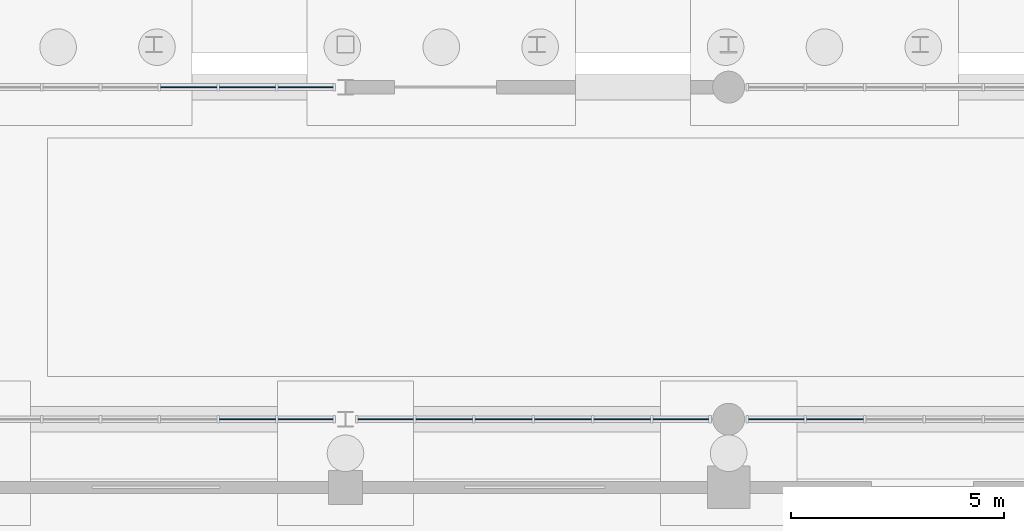
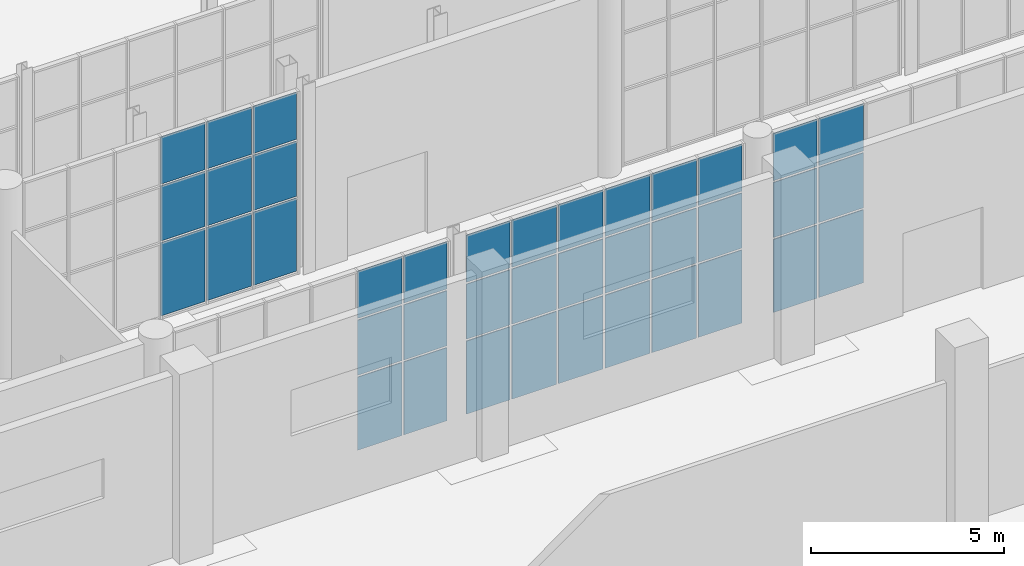
# One storey, part 77 of 131: 39 plates, 4 elements without a shape of their own.
"""IFC4 building model written with IfcOpenShell, lengths in metres."""

import ifcopenshell
import ifcopenshell.guid

model = None  # the IFC model being written
_history = None  # IfcOwnerHistory: only IFC2X3 demands one
_inside = {}  # id of a spatial element -> (the spatial element, [elements in it])
_under = {}  # id of a project, library or spatial element -> (it, [spatial elements below it])
_declared = {}  # id of a project -> (the project, [libraries it declares])
_typed = {}  # id of a type object -> (the type object, [elements of that type])
_made_of = {}  # id of a material, layer set ... -> (it, [elements and type objects made of it])


def new_model(schema):
    """Start an empty IFC model of exactly this schema.

    Asked for "IFC4X3", IfcOpenShell would pick the latest addendum, in which some entities
    have other attributes; the version numbers below select the first issue.
    IFC2X3 requires an IfcOwnerHistory on every rooted entity: one is made here for all.
    """
    global model, _history
    if schema == "IFC4X3":
        model = ifcopenshell.file(schema_version=(4, 3, 0, 0))
    else:
        model = ifcopenshell.file(schema=schema)
    _inside.clear()
    _under.clear()
    _declared.clear()
    _typed.clear()
    _made_of.clear()
    _history = None
    if model.schema == "IFC2X3":
        org = make("IfcOrganization", Name="unknown")
        user = make(
            "IfcPersonAndOrganization",
            ThePerson=make("IfcPerson", FamilyName="unknown"),
            TheOrganization=org,
        )
        app = make(
            "IfcApplication",
            ApplicationDeveloper=org,
            Version="unknown",
            ApplicationFullName="unknown",
            ApplicationIdentifier="unknown",
        )
        _history = make(
            "IfcOwnerHistory",
            OwningUser=user,
            OwningApplication=app,
            ChangeAction="ADDED",
            CreationDate=0,
        )
    return model


def make(cls, **values):
    """One entity of the class cls with the attributes given. An attribute that is None is left unset."""
    return model.create_entity(
        cls, **{name: value for name, value in values.items() if value is not None}
    )


def rooted(cls, **values):
    """An entity with a GlobalId (a new one), such as an element, a storey or a relation."""
    return make(cls, GlobalId=ifcopenshell.guid.new(), OwnerHistory=_history, **values)


def si_unit(unit_type, name, prefix=None):
    """IfcSIUnit, for example si_unit("LENGTHUNIT", "METRE", prefix="MILLI")."""
    return make("IfcSIUnit", UnitType=unit_type, Prefix=prefix, Name=name)


def assignment(units):
    """IfcUnitAssignment: the units of a project."""
    return None if units is None else make("IfcUnitAssignment", Units=units)


def point(xyz):
    """IfcCartesianPoint."""
    return None if xyz is None else make("IfcCartesianPoint", Coordinates=xyz)


def direction(xyz):
    """IfcDirection."""
    return None if xyz is None else make("IfcDirection", DirectionRatios=xyz)


def frame(location, z_axis=None, x_axis=None):
    """IfcAxis2Placement3D, a coordinate frame: its origin and axes. An axis left out is left unset."""
    return make(
        "IfcAxis2Placement3D",
        Location=point(location),
        Axis=direction(z_axis),
        RefDirection=direction(x_axis),
    )


def frame_2d(location, x_axis=None):
    """IfcAxis2Placement2D, a coordinate frame in the plane: its origin and x axis."""
    return make(
        "IfcAxis2Placement2D", Location=point(location), RefDirection=direction(x_axis)
    )


def origin():
    """The frame at (0, 0, 0) with its axes left unset."""
    return frame((0.0, 0.0, 0.0))


def origin_2d():
    """The frame at (0, 0) in the plane with its x axis left unset."""
    return frame_2d((0.0, 0.0))


def place(relative_to, where):
    """IfcLocalPlacement: puts the frame where relative to a parent placement (None: the world)."""
    return make(
        "IfcLocalPlacement", PlacementRelTo=relative_to, RelativePlacement=where
    )


def context(
    kind, dimensions, precision=None, world=None, true_north=None, identifier=None
):
    """IfcGeometricRepresentationContext, for example the 3D "Model" context."""
    return make(
        "IfcGeometricRepresentationContext",
        ContextIdentifier=identifier,
        ContextType=kind,
        CoordinateSpaceDimension=dimensions,
        Precision=precision,
        WorldCoordinateSystem=world,
        TrueNorth=true_north,
    )


def subcontext(parent, identifier, kind, view, scale=None):
    """IfcGeometricRepresentationSubContext, for example "Body" below "Model"."""
    return make(
        "IfcGeometricRepresentationSubContext",
        ContextIdentifier=identifier,
        ContextType=kind,
        ParentContext=parent,
        TargetScale=scale,
        TargetView=view,
    )


def project(units=None, contexts=None):
    """IfcProject with its units and contexts."""
    return rooted(
        "IfcProject",
        Name="project",
        RepresentationContexts=contexts,
        UnitsInContext=assignment(units),
    )


def spatial(cls, under=None, at=None, **own):
    """A site, building, storey or space (cls), placed at a placement, below another one or the project."""
    s = rooted(cls, ObjectPlacement=at, **own)
    if under is not None:
        _under.setdefault(under.id(), (under, []))[1].append(s)
    return s


def profile(cls, at=None, kind="AREA", **sizes):
    """A parametric profile (cls). Its sizes go by their IFC names, for example OverallWidth=200.0."""
    return make(cls, ProfileType=kind, Position=at, **sizes)


def rectangle(**sizes):
    """IfcRectangleProfileDef."""
    return profile("IfcRectangleProfileDef", **sizes)


def extrude(swept, where, along, depth):
    """IfcExtrudedAreaSolid: the profile swept, set in the frame where, extruded along a direction by depth."""
    return make(
        "IfcExtrudedAreaSolid",
        SweptArea=swept,
        Position=where,
        ExtrudedDirection=direction(along),
        Depth=depth,
    )


def shape(context_of_items, identifier, shape_type, items):
    """IfcShapeRepresentation: the items that make up one representation, for example the "Body"."""
    return make(
        "IfcShapeRepresentation",
        ContextOfItems=context_of_items,
        RepresentationIdentifier=identifier,
        RepresentationType=shape_type,
        Items=items,
    )


def material(Name=None, Category=None):
    """IfcMaterial."""
    return make("IfcMaterial", Name=Name, Category=Category)


def layer(
    of_material, thickness, ventilated=None, Name=None, Category=None, Priority=None
):
    """IfcMaterialLayer: one layer of a wall or slab, of a material (None: an air gap)."""
    return make(
        "IfcMaterialLayer",
        Material=of_material,
        LayerThickness=thickness,
        IsVentilated=ventilated,
        Name=Name,
        Category=Category,
        Priority=Priority,
    )


def layer_set(layers, Name=None):
    """IfcMaterialLayerSet."""
    return make("IfcMaterialLayerSet", MaterialLayers=layers, LayerSetName=Name)


def made_of(thing, what):
    """Note that an element or type object is made of a material, layer set ...; save() writes the relation."""
    if what is not None:
        _made_of.setdefault(what.id(), (what, []))[1].append(thing)
    return thing


def type_object(cls, material=None, **own):
    """A type object (cls), such as IfcWallType, which elements share."""
    return made_of(rooted(cls, **own), material)


def element(
    cls,
    number,
    at=None,
    inside=None,
    cuts=None,
    type_object=None,
    material=None,
    context=None,
    identifier="Body",
    shape_type=None,
    held_by="IfcProductDefinitionShape",
    body=None,
    shapes=None,
    **own,
):
    """One element of the class cls, such as IfcWall. Its Tag is "e" and its number.

    at: its placement. inside: the storey or other place that contains it. cuts: it is an
    opening in that element (IfcRelVoidsElement). A single representation is given by context,
    identifier, shape_type and body (its items); several are given by shapes. held_by: the class
    of the entity that holds the representations. save() writes the other relations.
    """
    e = rooted(cls, Tag="e%d" % number, ObjectPlacement=at, **own)
    if body is not None:
        shapes = [shape(context, identifier, shape_type, body)]
    if shapes is not None:
        e.Representation = make(held_by, Representations=shapes)
    if inside is not None:
        _inside.setdefault(inside.id(), (inside, []))[1].append(e)
    if cuts is not None:
        rooted(
            "IfcRelVoidsElement", RelatingBuildingElement=cuts, RelatedOpeningElement=e
        )
    if type_object is not None:
        _typed.setdefault(type_object.id(), (type_object, []))[1].append(e)
    return made_of(e, material)


def aggregate(whole, parts):
    """IfcRelAggregates: a whole, such as a stair, and the parts it consists of."""
    return rooted("IfcRelAggregates", RelatingObject=whole, RelatedObjects=parts)


def save(model, path):
    """Write the relations noted so far, then the file.

    IfcRelAggregates (storeys below a building ...), IfcRelContainedInSpatialStructure (elements
    in a storey), IfcRelDefinesByType, IfcRelAssociatesMaterial and IfcRelDeclares: one each for
    every whole, place, type object, material and project.
    """
    for whole, parts in _under.values():
        aggregate(whole, parts)
    for where, things in _inside.values():
        rooted(
            "IfcRelContainedInSpatialStructure",
            RelatedElements=things,
            RelatingStructure=where,
        )
    for kind, things in _typed.values():
        rooted("IfcRelDefinesByType", RelatedObjects=things, RelatingType=kind)
    for what, things in _made_of.values():
        rooted("IfcRelAssociatesMaterial", RelatedObjects=things, RelatingMaterial=what)
    for by, libraries in _declared.values():
        rooted("IfcRelDeclares", RelatingContext=by, RelatedDefinitions=libraries)
    model.write(path)


model = new_model("IFC4")

# Units and contexts
model_context = context("Model", 3, precision=1e-05, world=origin(), true_north=direction((0.0, 1.0)))
body_context = subcontext(model_context, "Body", "Model", "MODEL_VIEW")
ifc_project = project(units=[si_unit("LENGTHUNIT", "METRE"), si_unit("AREAUNIT", "SQUARE_METRE"), si_unit("VOLUMEUNIT", "CUBIC_METRE"), si_unit("PLANEANGLEUNIT", "RADIAN"), si_unit("MASSUNIT", "GRAM", prefix="KILO")], contexts=[model_context])

# Site, building, storey
site_placement = place(None, origin())
site = spatial("IfcSite", under=ifc_project, at=site_placement, CompositionType="ELEMENT")
building_placement = place(site_placement, origin())
building = spatial("IfcBuilding", under=site, at=building_placement, Name="Cazmaro Siding Exhibition Halls", CompositionType="ELEMENT")
storey_placement = place(building_placement, origin())
storey = spatial("IfcBuildingStorey", under=building, at=storey_placement, Name="L00", CompositionType="ELEMENT", Elevation=0.0)

# Curtain wall, plates
ifc_material_1 = material(Name="Anodized Bronze Aluminum and Solar-Control Low-E Glazing", Category="aluminium")
ifc_layer_1 = layer(ifc_material_1, 0.179931640625)
ifc_layer_set_1 = layer_set([ifc_layer_1], Name="Anodized Bronze Aluminum and Solar-Control Low-E Glazing")
curtain_wall_type = type_object("IfcCurtainWallType", Name="CWS-01", PredefinedType="USERDEFINED", material=ifc_layer_set_1)
curtain_wall_1_placement = place(storey_placement, origin())
curtain_wall_1 = element("IfcCurtainWall", 1, at=curtain_wall_1_placement, inside=storey, type_object=curtain_wall_type, Name="Glazed Curtain Wall CWS-01 CW-170", ObjectType="GLAZED CURTAIN WALL", PredefinedType="USERDEFINED")
ifc_material_2 = material(Name="Solar-Control Low-E Double Insulating Glass", Category="glass")
ifc_layer_2 = layer(ifc_material_2, 0.02392578125)
ifc_layer_set_2 = layer_set([ifc_layer_2], Name="Solar-Control Low-E Double Insulating Glass")
plate_type = type_object("IfcPlateType", Name="CWP-01", PredefinedType="CURTAIN_PANEL", material=ifc_layer_set_2)
plate_1_placement = place(storey_placement, frame((96.6982421875, 55.199951171875, 0.06005859375), z_axis=(0.0, 0.0, 1.0), x_axis=(1.0, 0.0, 0.0)))
plate_1 = element("IfcPlate", 2, at=plate_1_placement, type_object=plate_type, Name="CWS-01 panel 5.1", PredefinedType="CURTAIN_PANEL", context=body_context, shape_type="SweptSolid", body=[
    extrude(rectangle(XDim=1.321044921875, YDim=0.02392578125, at=origin_2d()), origin(), (0.0, 0.0, 1.0), 2.31005859375),
])
plate_2_placement = place(storey_placement, frame((96.6982421875, 55.199951171875, 2.43017578125), z_axis=(0.0, 0.0, 1.0), x_axis=(1.0, 0.0, 0.0)))
plate_2 = element("IfcPlate", 3, at=plate_2_placement, type_object=plate_type, Name="CWS-01 panel 5.2", PredefinedType="CURTAIN_PANEL", context=body_context, shape_type="SweptSolid", body=[
    extrude(rectangle(XDim=1.321044921875, YDim=0.02392578125, at=origin_2d()), origin(), (0.0, 0.0, 1.0), 1.739990234375),
])
plate_3_placement = place(storey_placement, frame((96.6982421875, 55.199951171875, 4.22998046875), z_axis=(0.0, 0.0, 1.0), x_axis=(1.0, 0.0, 0.0)))
plate_3 = element("IfcPlate", 4, at=plate_3_placement, type_object=plate_type, Name="CWS-01 panel 5.3", PredefinedType="CURTAIN_PANEL", context=body_context, shape_type="SweptSolid", body=[
    extrude(rectangle(XDim=1.321044921875, YDim=0.02392578125, at=origin_2d()), origin(), (0.0, 0.0, 1.0), 1.489990234375),
])
plate_4_placement = place(storey_placement, frame((98.064453125, 55.199951171875, 0.06005859375), z_axis=(0.0, 0.0, 1.0), x_axis=(1.0, 0.0, 0.0)))
plate_4 = element("IfcPlate", 5, at=plate_4_placement, type_object=plate_type, Name="CWS-01 panel 6.1", PredefinedType="CURTAIN_PANEL", context=body_context, shape_type="SweptSolid", body=[
    extrude(rectangle(XDim=1.291259765625, YDim=0.02392578125, at=origin_2d()), origin(), (0.0, 0.0, 1.0), 2.31005859375),
])
plate_5_placement = place(storey_placement, frame((98.064453125, 55.199951171875, 2.43017578125), z_axis=(0.0, 0.0, 1.0), x_axis=(1.0, 0.0, 0.0)))
plate_5 = element("IfcPlate", 6, at=plate_5_placement, type_object=plate_type, Name="CWS-01 panel 6.2", PredefinedType="CURTAIN_PANEL", context=body_context, shape_type="SweptSolid", body=[
    extrude(rectangle(XDim=1.291259765625, YDim=0.02392578125, at=origin_2d()), origin(), (0.0, 0.0, 1.0), 1.739990234375),
])
plate_6_placement = place(storey_placement, frame((98.064453125, 55.199951171875, 4.22998046875), z_axis=(0.0, 0.0, 1.0), x_axis=(1.0, 0.0, 0.0)))
plate_6 = element("IfcPlate", 7, at=plate_6_placement, type_object=plate_type, Name="CWS-01 panel 6.3", PredefinedType="CURTAIN_PANEL", context=body_context, shape_type="SweptSolid", body=[
    extrude(rectangle(XDim=1.291259765625, YDim=0.02392578125, at=origin_2d()), origin(), (0.0, 0.0, 1.0), 1.489990234375),
])
aggregate(curtain_wall_1, [plate_1, plate_2, plate_3, plate_4, plate_5, plate_6])

curtain_wall_2_placement = place(storey_placement, origin())
curtain_wall_2 = element("IfcCurtainWall", 8, at=curtain_wall_2_placement, inside=storey, type_object=curtain_wall_type, Name="Glazed Curtain Wall CWS-01 CW-171", ObjectType="GLAZED CURTAIN WALL", PredefinedType="USERDEFINED")
plate_7_placement = place(storey_placement, frame((98.064453125, 63.0, 0.06005859375), z_axis=(0.0, 0.0, 1.0), x_axis=(-1.0, 0.0, 0.0)))
plate_7 = element("IfcPlate", 9, at=plate_7_placement, type_object=plate_type, Name="CWS-01 panel 1.1", PredefinedType="CURTAIN_PANEL", context=body_context, shape_type="SweptSolid", body=[
    extrude(rectangle(XDim=1.291259765625, YDim=0.02392578125, at=origin_2d()), origin(), (0.0, 0.0, 1.0), 2.31005859375),
])
plate_8_placement = place(storey_placement, frame((98.064453125, 63.0, 2.43017578125), z_axis=(0.0, 0.0, 1.0), x_axis=(-1.0, 0.0, 0.0)))
plate_8 = element("IfcPlate", 10, at=plate_8_placement, type_object=plate_type, Name="CWS-01 panel 1.2", PredefinedType="CURTAIN_PANEL", context=body_context, shape_type="SweptSolid", body=[
    extrude(rectangle(XDim=1.291259765625, YDim=0.02392578125, at=origin_2d()), origin(), (0.0, 0.0, 1.0), 1.739990234375),
])
plate_9_placement = place(storey_placement, frame((98.064453125, 63.0, 4.22998046875), z_axis=(0.0, 0.0, 1.0), x_axis=(-1.0, 0.0, 0.0)))
plate_9 = element("IfcPlate", 11, at=plate_9_placement, type_object=plate_type, Name="CWS-01 panel 1.3", PredefinedType="CURTAIN_PANEL", context=body_context, shape_type="SweptSolid", body=[
    extrude(rectangle(XDim=1.291259765625, YDim=0.02392578125, at=origin_2d()), origin(), (0.0, 0.0, 1.0), 1.489990234375),
])
plate_10_placement = place(storey_placement, frame((96.6982421875, 63.0, 0.06005859375), z_axis=(0.0, 0.0, 1.0), x_axis=(-1.0, 0.0, 0.0)))
plate_10 = element("IfcPlate", 12, at=plate_10_placement, type_object=plate_type, Name="CWS-01 panel 2.1", PredefinedType="CURTAIN_PANEL", context=body_context, shape_type="SweptSolid", body=[
    extrude(rectangle(XDim=1.321044921875, YDim=0.02392578125, at=origin_2d()), origin(), (0.0, 0.0, 1.0), 2.31005859375),
])
plate_11_placement = place(storey_placement, frame((96.6982421875, 63.0, 2.43017578125), z_axis=(0.0, 0.0, 1.0), x_axis=(-1.0, 0.0, 0.0)))
plate_11 = element("IfcPlate", 13, at=plate_11_placement, type_object=plate_type, Name="CWS-01 panel 2.2", PredefinedType="CURTAIN_PANEL", context=body_context, shape_type="SweptSolid", body=[
    extrude(rectangle(XDim=1.321044921875, YDim=0.02392578125, at=origin_2d()), origin(), (0.0, 0.0, 1.0), 1.739990234375),
])
plate_12_placement = place(storey_placement, frame((96.6982421875, 63.0, 4.22998046875), z_axis=(0.0, 0.0, 1.0), x_axis=(-1.0, 0.0, 0.0)))
plate_12 = element("IfcPlate", 14, at=plate_12_placement, type_object=plate_type, Name="CWS-01 panel 2.3", PredefinedType="CURTAIN_PANEL", context=body_context, shape_type="SweptSolid", body=[
    extrude(rectangle(XDim=1.321044921875, YDim=0.02392578125, at=origin_2d()), origin(), (0.0, 0.0, 1.0), 1.489990234375),
])
plate_13_placement = place(storey_placement, frame((95.317138671875, 63.0, 0.06005859375), z_axis=(0.0, 0.0, 1.0), x_axis=(-1.0, 0.0, 0.0)))
plate_13 = element("IfcPlate", 15, at=plate_13_placement, type_object=plate_type, Name="CWS-01 panel 3.1", PredefinedType="CURTAIN_PANEL", context=body_context, shape_type="SweptSolid", body=[
    extrude(rectangle(XDim=1.321044921875, YDim=0.02392578125, at=origin_2d()), origin(), (0.0, 0.0, 1.0), 2.31005859375),
])
plate_14_placement = place(storey_placement, frame((95.317138671875, 63.0, 2.43017578125), z_axis=(0.0, 0.0, 1.0), x_axis=(-1.0, 0.0, 0.0)))
plate_14 = element("IfcPlate", 16, at=plate_14_placement, type_object=plate_type, Name="CWS-01 panel 3.2", PredefinedType="CURTAIN_PANEL", context=body_context, shape_type="SweptSolid", body=[
    extrude(rectangle(XDim=1.321044921875, YDim=0.02392578125, at=origin_2d()), origin(), (0.0, 0.0, 1.0), 1.739990234375),
])
plate_15_placement = place(storey_placement, frame((95.317138671875, 63.0, 4.22998046875), z_axis=(0.0, 0.0, 1.0), x_axis=(-1.0, 0.0, 0.0)))
plate_15 = element("IfcPlate", 17, at=plate_15_placement, type_object=plate_type, Name="CWS-01 panel 3.3", PredefinedType="CURTAIN_PANEL", context=body_context, shape_type="SweptSolid", body=[
    extrude(rectangle(XDim=1.321044921875, YDim=0.02392578125, at=origin_2d()), origin(), (0.0, 0.0, 1.0), 1.489990234375),
])
aggregate(curtain_wall_2, [plate_7, plate_8, plate_9, plate_10, plate_11, plate_12, plate_13, plate_14, plate_15])

curtain_wall_3_placement = place(storey_placement, origin())
curtain_wall_3 = element("IfcCurtainWall", 18, at=curtain_wall_3_placement, inside=storey, type_object=curtain_wall_type, Name="Glazed Curtain Wall CWS-01 CW-176", ObjectType="GLAZED CURTAIN WALL", PredefinedType="USERDEFINED")
plate_16_placement = place(storey_placement, frame((99.94189453125, 55.199951171875, 0.06005859375), z_axis=(0.0, 0.0, 1.0), x_axis=(1.0, 0.0, 0.0)))
plate_16 = element("IfcPlate", 19, at=plate_16_placement, type_object=plate_type, Name="CWS-01 panel 1.1", PredefinedType="CURTAIN_PANEL", context=body_context, shape_type="SweptSolid", body=[
    extrude(rectangle(XDim=1.3037109375, YDim=0.02392578125, at=origin_2d()), origin(), (0.0, 0.0, 1.0), 2.31005859375),
])
plate_17_placement = place(storey_placement, frame((99.94189453125, 55.199951171875, 2.43017578125), z_axis=(0.0, 0.0, 1.0), x_axis=(1.0, 0.0, 0.0)))
plate_17 = element("IfcPlate", 20, at=plate_17_placement, type_object=plate_type, Name="CWS-01 panel 1.2", PredefinedType="CURTAIN_PANEL", context=body_context, shape_type="SweptSolid", body=[
    extrude(rectangle(XDim=1.3037109375, YDim=0.02392578125, at=origin_2d()), origin(), (0.0, 0.0, 1.0), 1.739990234375),
])
plate_18_placement = place(storey_placement, frame((99.94189453125, 55.199951171875, 4.22998046875), z_axis=(0.0, 0.0, 1.0), x_axis=(1.0, 0.0, 0.0)))
plate_18 = element("IfcPlate", 21, at=plate_18_placement, type_object=plate_type, Name="CWS-01 panel 1.3", PredefinedType="CURTAIN_PANEL", context=body_context, shape_type="SweptSolid", body=[
    extrude(rectangle(XDim=1.3037109375, YDim=0.02392578125, at=origin_2d()), origin(), (0.0, 0.0, 1.0), 1.489990234375),
])
plate_19_placement = place(storey_placement, frame((101.320556640625, 55.199951171875, 0.06005859375), z_axis=(0.0, 0.0, 1.0), x_axis=(1.0, 0.0, 0.0)))
plate_19 = element("IfcPlate", 22, at=plate_19_placement, type_object=plate_type, Name="CWS-01 panel 2.1", PredefinedType="CURTAIN_PANEL", context=body_context, shape_type="SweptSolid", body=[
    extrude(rectangle(XDim=1.333740234375, YDim=0.02392578125, at=origin_2d()), origin(), (0.0, 0.0, 1.0), 2.31005859375),
])
plate_20_placement = place(storey_placement, frame((101.320556640625, 55.199951171875, 2.43017578125), z_axis=(0.0, 0.0, 1.0), x_axis=(1.0, 0.0, 0.0)))
plate_20 = element("IfcPlate", 23, at=plate_20_placement, type_object=plate_type, Name="CWS-01 panel 2.2", PredefinedType="CURTAIN_PANEL", context=body_context, shape_type="SweptSolid", body=[
    extrude(rectangle(XDim=1.333740234375, YDim=0.02392578125, at=origin_2d()), origin(), (0.0, 0.0, 1.0), 1.739990234375),
])
plate_21_placement = place(storey_placement, frame((101.320556640625, 55.199951171875, 4.22998046875), z_axis=(0.0, 0.0, 1.0), x_axis=(1.0, 0.0, 0.0)))
plate_21 = element("IfcPlate", 24, at=plate_21_placement, type_object=plate_type, Name="CWS-01 panel 2.3", PredefinedType="CURTAIN_PANEL", context=body_context, shape_type="SweptSolid", body=[
    extrude(rectangle(XDim=1.333740234375, YDim=0.02392578125, at=origin_2d()), origin(), (0.0, 0.0, 1.0), 1.489990234375),
])
plate_22_placement = place(storey_placement, frame((102.714111328125, 55.199951171875, 0.06005859375), z_axis=(0.0, 0.0, 1.0), x_axis=(1.0, 0.0, 0.0)))
plate_22 = element("IfcPlate", 25, at=plate_22_placement, type_object=plate_type, Name="CWS-01 panel 3.1", PredefinedType="CURTAIN_PANEL", context=body_context, shape_type="SweptSolid", body=[
    extrude(rectangle(XDim=1.333740234375, YDim=0.02392578125, at=origin_2d()), origin(), (0.0, 0.0, 1.0), 2.31005859375),
])
plate_23_placement = place(storey_placement, frame((102.714111328125, 55.199951171875, 2.43017578125), z_axis=(0.0, 0.0, 1.0), x_axis=(1.0, 0.0, 0.0)))
plate_23 = element("IfcPlate", 26, at=plate_23_placement, type_object=plate_type, Name="CWS-01 panel 3.2", PredefinedType="CURTAIN_PANEL", context=body_context, shape_type="SweptSolid", body=[
    extrude(rectangle(XDim=1.333740234375, YDim=0.02392578125, at=origin_2d()), origin(), (0.0, 0.0, 1.0), 1.739990234375),
])
plate_24_placement = place(storey_placement, frame((102.714111328125, 55.199951171875, 4.22998046875), z_axis=(0.0, 0.0, 1.0), x_axis=(1.0, 0.0, 0.0)))
plate_24 = element("IfcPlate", 27, at=plate_24_placement, type_object=plate_type, Name="CWS-01 panel 3.3", PredefinedType="CURTAIN_PANEL", context=body_context, shape_type="SweptSolid", body=[
    extrude(rectangle(XDim=1.333740234375, YDim=0.02392578125, at=origin_2d()), origin(), (0.0, 0.0, 1.0), 1.489990234375),
])
plate_25_placement = place(storey_placement, frame((104.10791015625, 55.199951171875, 0.06005859375), z_axis=(0.0, 0.0, 1.0), x_axis=(1.0, 0.0, 0.0)))
plate_25 = element("IfcPlate", 28, at=plate_25_placement, type_object=plate_type, Name="CWS-01 panel 4.1", PredefinedType="CURTAIN_PANEL", context=body_context, shape_type="SweptSolid", body=[
    extrude(rectangle(XDim=1.333740234375, YDim=0.02392578125, at=origin_2d()), origin(), (0.0, 0.0, 1.0), 2.31005859375),
])
plate_26_placement = place(storey_placement, frame((104.10791015625, 55.199951171875, 2.43017578125), z_axis=(0.0, 0.0, 1.0), x_axis=(1.0, 0.0, 0.0)))
plate_26 = element("IfcPlate", 29, at=plate_26_placement, type_object=plate_type, Name="CWS-01 panel 4.2", PredefinedType="CURTAIN_PANEL", context=body_context, shape_type="SweptSolid", body=[
    extrude(rectangle(XDim=1.333740234375, YDim=0.02392578125, at=origin_2d()), origin(), (0.0, 0.0, 1.0), 1.739990234375),
])
plate_27_placement = place(storey_placement, frame((104.10791015625, 55.199951171875, 4.22998046875), z_axis=(0.0, 0.0, 1.0), x_axis=(1.0, 0.0, 0.0)))
plate_27 = element("IfcPlate", 30, at=plate_27_placement, type_object=plate_type, Name="CWS-01 panel 4.3", PredefinedType="CURTAIN_PANEL", context=body_context, shape_type="SweptSolid", body=[
    extrude(rectangle(XDim=1.333740234375, YDim=0.02392578125, at=origin_2d()), origin(), (0.0, 0.0, 1.0), 1.489990234375),
])
plate_28_placement = place(storey_placement, frame((105.50146484375, 55.199951171875, 0.06005859375), z_axis=(0.0, 0.0, 1.0), x_axis=(1.0, 0.0, 0.0)))
plate_28 = element("IfcPlate", 31, at=plate_28_placement, type_object=plate_type, Name="CWS-01 panel 5.1", PredefinedType="CURTAIN_PANEL", context=body_context, shape_type="SweptSolid", body=[
    extrude(rectangle(XDim=1.333740234375, YDim=0.02392578125, at=origin_2d()), origin(), (0.0, 0.0, 1.0), 2.31005859375),
])
plate_29_placement = place(storey_placement, frame((105.50146484375, 55.199951171875, 2.43017578125), z_axis=(0.0, 0.0, 1.0), x_axis=(1.0, 0.0, 0.0)))
plate_29 = element("IfcPlate", 32, at=plate_29_placement, type_object=plate_type, Name="CWS-01 panel 5.2", PredefinedType="CURTAIN_PANEL", context=body_context, shape_type="SweptSolid", body=[
    extrude(rectangle(XDim=1.333740234375, YDim=0.02392578125, at=origin_2d()), origin(), (0.0, 0.0, 1.0), 1.739990234375),
])
plate_30_placement = place(storey_placement, frame((105.50146484375, 55.199951171875, 4.22998046875), z_axis=(0.0, 0.0, 1.0), x_axis=(1.0, 0.0, 0.0)))
plate_30 = element("IfcPlate", 33, at=plate_30_placement, type_object=plate_type, Name="CWS-01 panel 5.3", PredefinedType="CURTAIN_PANEL", context=body_context, shape_type="SweptSolid", body=[
    extrude(rectangle(XDim=1.333740234375, YDim=0.02392578125, at=origin_2d()), origin(), (0.0, 0.0, 1.0), 1.489990234375),
])
plate_31_placement = place(storey_placement, frame((106.880126953125, 55.199951171875, 0.06005859375), z_axis=(0.0, 0.0, 1.0), x_axis=(1.0, 0.0, 0.0)))
plate_31 = element("IfcPlate", 34, at=plate_31_placement, type_object=plate_type, Name="CWS-01 panel 6.1", PredefinedType="CURTAIN_PANEL", context=body_context, shape_type="SweptSolid", body=[
    extrude(rectangle(XDim=1.3037109375, YDim=0.02392578125, at=origin_2d()), origin(), (0.0, 0.0, 1.0), 2.31005859375),
])
plate_32_placement = place(storey_placement, frame((106.880126953125, 55.199951171875, 2.43017578125), z_axis=(0.0, 0.0, 1.0), x_axis=(1.0, 0.0, 0.0)))
plate_32 = element("IfcPlate", 35, at=plate_32_placement, type_object=plate_type, Name="CWS-01 panel 6.2", PredefinedType="CURTAIN_PANEL", context=body_context, shape_type="SweptSolid", body=[
    extrude(rectangle(XDim=1.3037109375, YDim=0.02392578125, at=origin_2d()), origin(), (0.0, 0.0, 1.0), 1.739990234375),
])
plate_33_placement = place(storey_placement, frame((106.880126953125, 55.199951171875, 4.22998046875), z_axis=(0.0, 0.0, 1.0), x_axis=(1.0, 0.0, 0.0)))
plate_33 = element("IfcPlate", 36, at=plate_33_placement, type_object=plate_type, Name="CWS-01 panel 6.3", PredefinedType="CURTAIN_PANEL", context=body_context, shape_type="SweptSolid", body=[
    extrude(rectangle(XDim=1.3037109375, YDim=0.02392578125, at=origin_2d()), origin(), (0.0, 0.0, 1.0), 1.489990234375),
])
aggregate(curtain_wall_3, [plate_16, plate_17, plate_18, plate_19, plate_20, plate_21, plate_22, plate_23, plate_24, plate_25, plate_26, plate_27, plate_28, plate_29, plate_30, plate_31, plate_32, plate_33])

curtain_wall_4_placement = place(storey_placement, origin())
curtain_wall_4 = element("IfcCurtainWall", 37, at=curtain_wall_4_placement, inside=storey, type_object=curtain_wall_type, Name="Glazed Curtain Wall CWS-01 CW-179", ObjectType="GLAZED CURTAIN WALL", PredefinedType="USERDEFINED")
plate_34_placement = place(storey_placement, frame((109.119873046875, 55.199951171875, 0.06005859375), z_axis=(0.0, 0.0, 1.0), x_axis=(1.0, 0.0, 0.0)))
plate_34 = element("IfcPlate", 38, at=plate_34_placement, type_object=plate_type, Name="CWS-01 panel 1.1", PredefinedType="CURTAIN_PANEL", context=body_context, shape_type="SweptSolid", body=[
    extrude(rectangle(XDim=1.3037109375, YDim=0.02392578125, at=origin_2d()), origin(), (0.0, 0.0, 1.0), 2.31005859375),
])
plate_35_placement = place(storey_placement, frame((109.119873046875, 55.199951171875, 2.43017578125), z_axis=(0.0, 0.0, 1.0), x_axis=(1.0, 0.0, 0.0)))
plate_35 = element("IfcPlate", 39, at=plate_35_placement, type_object=plate_type, Name="CWS-01 panel 1.2", PredefinedType="CURTAIN_PANEL", context=body_context, shape_type="SweptSolid", body=[
    extrude(rectangle(XDim=1.3037109375, YDim=0.02392578125, at=origin_2d()), origin(), (0.0, 0.0, 1.0), 1.739990234375),
])
plate_36_placement = place(storey_placement, frame((109.119873046875, 55.199951171875, 4.22998046875), z_axis=(0.0, 0.0, 1.0), x_axis=(1.0, 0.0, 0.0)))
plate_36 = element("IfcPlate", 40, at=plate_36_placement, type_object=plate_type, Name="CWS-01 panel 1.3", PredefinedType="CURTAIN_PANEL", context=body_context, shape_type="SweptSolid", body=[
    extrude(rectangle(XDim=1.3037109375, YDim=0.02392578125, at=origin_2d()), origin(), (0.0, 0.0, 1.0), 1.489990234375),
])
plate_37_placement = place(storey_placement, frame((110.49853515625, 55.199951171875, 0.06005859375), z_axis=(0.0, 0.0, 1.0), x_axis=(1.0, 0.0, 0.0)))
plate_37 = element("IfcPlate", 41, at=plate_37_placement, type_object=plate_type, Name="CWS-01 panel 2.1", PredefinedType="CURTAIN_PANEL", context=body_context, shape_type="SweptSolid", body=[
    extrude(rectangle(XDim=1.333740234375, YDim=0.02392578125, at=origin_2d()), origin(), (0.0, 0.0, 1.0), 2.31005859375),
])
plate_38_placement = place(storey_placement, frame((110.49853515625, 55.199951171875, 2.43017578125), z_axis=(0.0, 0.0, 1.0), x_axis=(1.0, 0.0, 0.0)))
plate_38 = element("IfcPlate", 42, at=plate_38_placement, type_object=plate_type, Name="CWS-01 panel 2.2", PredefinedType="CURTAIN_PANEL", context=body_context, shape_type="SweptSolid", body=[
    extrude(rectangle(XDim=1.333740234375, YDim=0.02392578125, at=origin_2d()), origin(), (0.0, 0.0, 1.0), 1.739990234375),
])
plate_39_placement = place(storey_placement, frame((110.49853515625, 55.199951171875, 4.22998046875), z_axis=(0.0, 0.0, 1.0), x_axis=(1.0, 0.0, 0.0)))
plate_39 = element("IfcPlate", 43, at=plate_39_placement, type_object=plate_type, Name="CWS-01 panel 2.3", PredefinedType="CURTAIN_PANEL", context=body_context, shape_type="SweptSolid", body=[
    extrude(rectangle(XDim=1.333740234375, YDim=0.02392578125, at=origin_2d()), origin(), (0.0, 0.0, 1.0), 1.489990234375),
])
aggregate(curtain_wall_4, [plate_34, plate_35, plate_36, plate_37, plate_38, plate_39])

save(model, "model.ifc")
